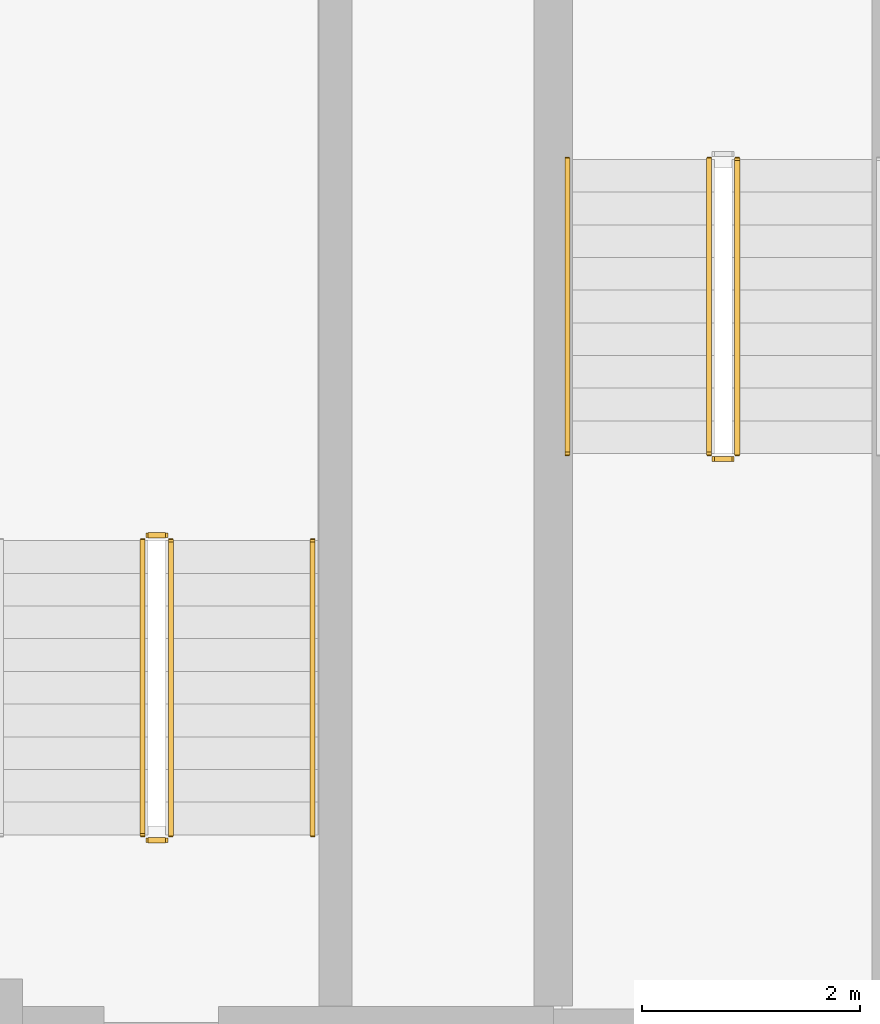
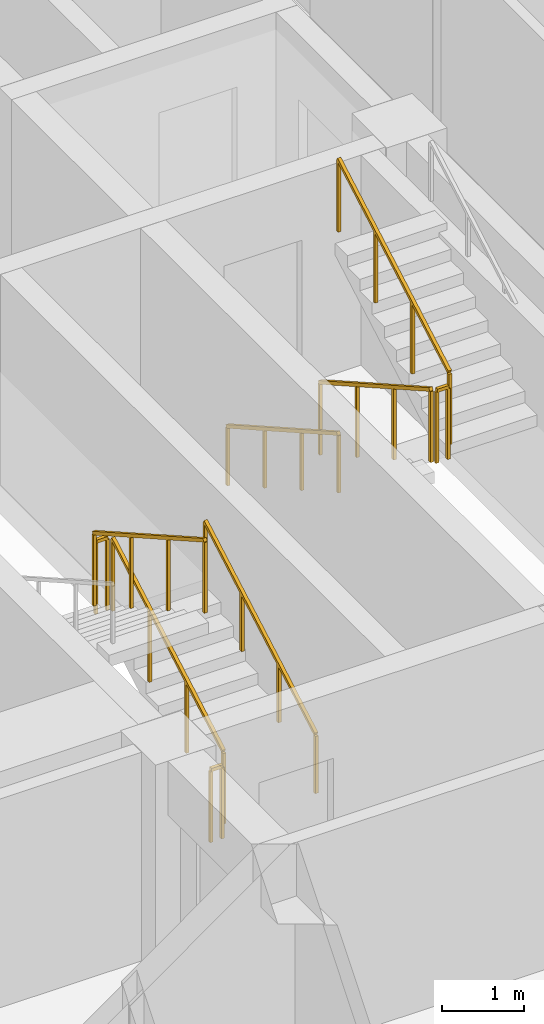
# One storey, part 13 of 18: 9 railings.
"""IFC4 building model written with IfcOpenShell, lengths in metres."""

from ifc_helpers import new_model, si_unit, direction, frame, origin, origin_2d, place, context, subcontext, project, spatial, rectangle, extrude, material, type_object, element, save


model = new_model("IFC4")

# Units and contexts
model_context = context("Model", 3, precision=1e-05, world=origin(), true_north=direction((0.0, 1.0)))
body_context = subcontext(model_context, "Body", "Model", "MODEL_VIEW")
ifc_project = project(units=[si_unit("LENGTHUNIT", "METRE"), si_unit("AREAUNIT", "SQUARE_METRE"), si_unit("VOLUMEUNIT", "CUBIC_METRE"), si_unit("PLANEANGLEUNIT", "RADIAN"), si_unit("MASSUNIT", "GRAM", prefix="KILO")], contexts=[model_context])

# Site, building, storey
site_placement = place(None, origin())
site = spatial("IfcSite", under=ifc_project, at=site_placement, CompositionType="ELEMENT")
building_placement = place(site_placement, origin())
building = spatial("IfcBuilding", under=site, at=building_placement, Name="Zulmaris Gate Convention Tower", CompositionType="ELEMENT")
storey_placement = place(building_placement, frame((0.0, 0.0, 191.4599609375)))
storey = spatial("IfcBuildingStorey", under=building, at=storey_placement, Name="L49", CompositionType="ELEMENT", Elevation=191.4599609375)

# Railings
ifc_material_1 = material(Name="Painted Galvanised Steel", Category="steel")
railing_type_1 = type_object("IfcRailingType", Name="RL-STG-1150", PredefinedType="GUARDRAIL", material=ifc_material_1)
railing_1_placement = place(storey_placement, frame((-13.27001953125, -2.0, 0.169921875)))
element("IfcRailing", 1, at=railing_1_placement, inside=storey, type_object=railing_type_1, Name="L49 ST-1 stair guard 1", PredefinedType="GUARDRAIL", context=body_context, shape_type="SweptSolid", body=[
    extrude(rectangle(XDim=0.048095703125, YDim=0.048095703125, at=origin_2d()), frame((0.0, 0.0, 1.076171875), z_axis=(0.0, -0.870014312096, 0.49302646658), x_axis=(1.0, 0.0, 0.0)), (0.0, 0.0, 1.0), 3.103271484375),
    extrude(rectangle(XDim=0.0419921875, YDim=0.0419921875, at=origin_2d()), origin(), (0.0, 0.0, 1.0), 1.052001953125),
    extrude(rectangle(XDim=0.0419921875, YDim=0.0419921875, at=origin_2d()), frame((0.0, -0.89990234375, 0.510009765625)), (0.0, 0.0, 1.0), 1.052001953125),
    extrude(rectangle(XDim=0.0419921875, YDim=0.0419921875, at=origin_2d()), frame((0.0, -1.800048828125, 1.02001953125)), (0.0, 0.0, 1.0), 1.052001953125),
    extrude(rectangle(XDim=0.0419921875, YDim=0.0419921875, at=origin_2d()), frame((0.0, -2.699951171875, 1.530029296875)), (0.0, 0.0, 1.0), 1.052001953125),
])
railing_2_placement = place(storey_placement, frame((-13.219970703125, -4.75, 1.699951171875)))
element("IfcRailing", 2, at=railing_2_placement, inside=storey, type_object=railing_type_1, Name="L49 ST-1 stair guard 2", PredefinedType="GUARDRAIL", context=body_context, shape_type="SweptSolid", body=[
    extrude(rectangle(XDim=0.048095703125, YDim=0.048095703125, at=origin_2d()), frame((0.0, 0.0, 1.076171875), z_axis=(1.0, 0.0, 0.0), x_axis=(0.0, 1.0, 0.0)), (0.0, 0.0, 1.0), 0.159912109375),
    extrude(rectangle(XDim=0.0419921875, YDim=0.0419921875, at=origin_2d()), origin(), (0.0, 0.0, 1.0), 1.052001953125),
    extrude(rectangle(XDim=0.0419921875, YDim=0.0419921875, at=origin_2d()), frame((0.159912109375, 0.0, 0.0)), (0.0, 0.0, 1.0), 1.052001953125),
])
for number, where, name in (
    (3, (-13.010009765625, -4.699951171875, 1.869873046875), "L49 ST-1 stair guard 3"),
    (4, (-18.2099609375, -8.199951171875, 0.169921875), "L49 ST-3 stair guard 1"),
):
    element("IfcRailing", number, at=place(storey_placement, frame(where)), inside=storey, type_object=railing_type_1, Name=name, PredefinedType="GUARDRAIL", context=body_context, shape_type="SweptSolid", body=[
        extrude(rectangle(XDim=0.048095703125, YDim=0.048095703125, at=origin_2d()), frame((0.0, 0.0, 1.076171875), z_axis=(0.0, 0.870014312096, 0.49302646658), x_axis=(-1.0, 0.0, 0.0)), (0.0, 0.0, 1.0), 3.103271484375),
        extrude(rectangle(XDim=0.0419921875, YDim=0.0419921875, at=origin_2d()), origin(), (0.0, 0.0, 1.0), 1.052001953125),
        extrude(rectangle(XDim=0.0419921875, YDim=0.0419921875, at=origin_2d()), frame((0.0, 0.89990234375, 0.510009765625)), (0.0, 0.0, 1.0), 1.052001953125),
        extrude(rectangle(XDim=0.0419921875, YDim=0.0419921875, at=origin_2d()), frame((0.0, 1.800048828125, 1.02001953125)), (0.0, 0.0, 1.0), 1.052001953125),
        extrude(rectangle(XDim=0.0419921875, YDim=0.0419921875, at=origin_2d()), frame((0.0, 2.699951171875, 1.530029296875)), (0.0, 0.0, 1.0), 1.052001953125),
    ])
railing_3_placement = place(storey_placement, frame((-18.260009765625, -5.449951171875, 1.699951171875)))
element("IfcRailing", 5, at=railing_3_placement, inside=storey, type_object=railing_type_1, Name="L49 ST-3 stair guard 2", PredefinedType="GUARDRAIL", context=body_context, shape_type="SweptSolid", body=[
    extrude(rectangle(XDim=0.048095703125, YDim=0.048095703125, at=origin_2d()), frame((0.0, 0.0, 1.076171875), z_axis=(-1.0, 0.0, 0.0), x_axis=(0.0, -1.0, 0.0)), (0.0, 0.0, 1.0), 0.159912109375),
    extrude(rectangle(XDim=0.0419921875, YDim=0.0419921875, at=origin_2d()), origin(), (0.0, 0.0, 1.0), 1.052001953125),
    extrude(rectangle(XDim=0.0419921875, YDim=0.0419921875, at=origin_2d()), frame((-0.159912109375, 0.0, 0.0)), (0.0, 0.0, 1.0), 1.052001953125),
])
railing_4_placement = place(storey_placement, frame((-18.469970703125, -5.5, 1.869873046875)))
element("IfcRailing", 6, at=railing_4_placement, inside=storey, type_object=railing_type_1, Name="L49 ST-3 stair guard 3", PredefinedType="GUARDRAIL", context=body_context, shape_type="SweptSolid", body=[
    extrude(rectangle(XDim=0.048095703125, YDim=0.048095703125, at=origin_2d()), frame((0.0, 0.0, 1.076171875), z_axis=(0.0, -0.870014312096, 0.49302646658), x_axis=(1.0, 0.0, 0.0)), (0.0, 0.0, 1.0), 3.103271484375),
    extrude(rectangle(XDim=0.0419921875, YDim=0.0419921875, at=origin_2d()), origin(), (0.0, 0.0, 1.0), 1.052001953125),
    extrude(rectangle(XDim=0.0419921875, YDim=0.0419921875, at=origin_2d()), frame((0.0, -0.89990234375, 0.510009765625)), (0.0, 0.0, 1.0), 1.052001953125),
    extrude(rectangle(XDim=0.0419921875, YDim=0.0419921875, at=origin_2d()), frame((0.0, -1.800048828125, 1.02001953125)), (0.0, 0.0, 1.0), 1.052001953125),
    extrude(rectangle(XDim=0.0419921875, YDim=0.0419921875, at=origin_2d()), frame((0.0, -2.699951171875, 1.530029296875)), (0.0, 0.0, 1.0), 1.052001953125),
])
railing_5_placement = place(storey_placement, frame((-18.260009765625, -8.25, 0.0)))
element("IfcRailing", 7, at=railing_5_placement, inside=storey, type_object=railing_type_1, Name="L49 ST-3 stair guard 4", PredefinedType="GUARDRAIL", context=body_context, shape_type="SweptSolid", body=[
    extrude(rectangle(XDim=0.048095703125, YDim=0.048095703125, at=origin_2d()), frame((0.0, 0.0, 1.076171875), z_axis=(-1.0, 0.0, 0.0), x_axis=(0.0, -1.0, 0.0)), (0.0, 0.0, 1.0), 0.159912109375),
    extrude(rectangle(XDim=0.0419921875, YDim=0.0419921875, at=origin_2d()), origin(), (0.0, 0.0, 1.0), 1.052001953125),
    extrude(rectangle(XDim=0.0419921875, YDim=0.0419921875, at=origin_2d()), frame((-0.159912109375, 0.0, 0.0)), (0.0, 0.0, 1.0), 1.052001953125),
])
ifc_material_2 = material(Name="Brushed Stainless Steel", Category="steel")
railing_type_2 = type_object("IfcRailingType", Name="RL-STH-900", PredefinedType="HANDRAIL", material=ifc_material_2)
railing_6_placement = place(storey_placement, frame((-14.570068359375, -2.0, 0.169921875)))
element("IfcRailing", 8, at=railing_6_placement, inside=storey, type_object=railing_type_2, Name="L49 ST-1 stair handrail 1", PredefinedType="HANDRAIL", context=body_context, shape_type="SweptSolid", body=[
    extrude(rectangle(XDim=0.048095703125, YDim=0.048095703125, at=origin_2d()), frame((0.0, 0.0, 0.8759765625), z_axis=(0.0, -0.870014312096, 0.49302646658), x_axis=(1.0, 0.0, 0.0)), (0.0, 0.0, 1.0), 3.103271484375),
    extrude(rectangle(XDim=0.0419921875, YDim=0.0419921875, at=origin_2d()), origin(), (0.0, 0.0, 1.0), 0.851806640625),
    extrude(rectangle(XDim=0.0419921875, YDim=0.0419921875, at=origin_2d()), frame((0.0, -0.89990234375, 0.510009765625)), (0.0, 0.0, 1.0), 0.851806640625),
    extrude(rectangle(XDim=0.0419921875, YDim=0.0419921875, at=origin_2d()), frame((0.0, -1.800048828125, 1.02001953125)), (0.0, 0.0, 1.0), 0.851806640625),
    extrude(rectangle(XDim=0.0419921875, YDim=0.0419921875, at=origin_2d()), frame((0.0, -2.699951171875, 1.530029296875)), (0.0, 0.0, 1.0), 0.851806640625),
])
railing_7_placement = place(storey_placement, frame((-16.909912109375, -8.199951171875, 0.169921875)))
element("IfcRailing", 9, at=railing_7_placement, inside=storey, type_object=railing_type_2, Name="L49 ST-3 stair handrail 1", PredefinedType="HANDRAIL", context=body_context, shape_type="SweptSolid", body=[
    extrude(rectangle(XDim=0.048095703125, YDim=0.048095703125, at=origin_2d()), frame((0.0, 0.0, 0.8759765625), z_axis=(0.0, 0.870014312096, 0.49302646658), x_axis=(-1.0, 0.0, 0.0)), (0.0, 0.0, 1.0), 3.103271484375),
    extrude(rectangle(XDim=0.0419921875, YDim=0.0419921875, at=origin_2d()), origin(), (0.0, 0.0, 1.0), 0.851806640625),
    extrude(rectangle(XDim=0.0419921875, YDim=0.0419921875, at=origin_2d()), frame((0.0, 0.89990234375, 0.510009765625)), (0.0, 0.0, 1.0), 0.851806640625),
    extrude(rectangle(XDim=0.0419921875, YDim=0.0419921875, at=origin_2d()), frame((0.0, 1.800048828125, 1.02001953125)), (0.0, 0.0, 1.0), 0.851806640625),
    extrude(rectangle(XDim=0.0419921875, YDim=0.0419921875, at=origin_2d()), frame((0.0, 2.699951171875, 1.530029296875)), (0.0, 0.0, 1.0), 0.851806640625),
])

save(model, "model.ifc")
